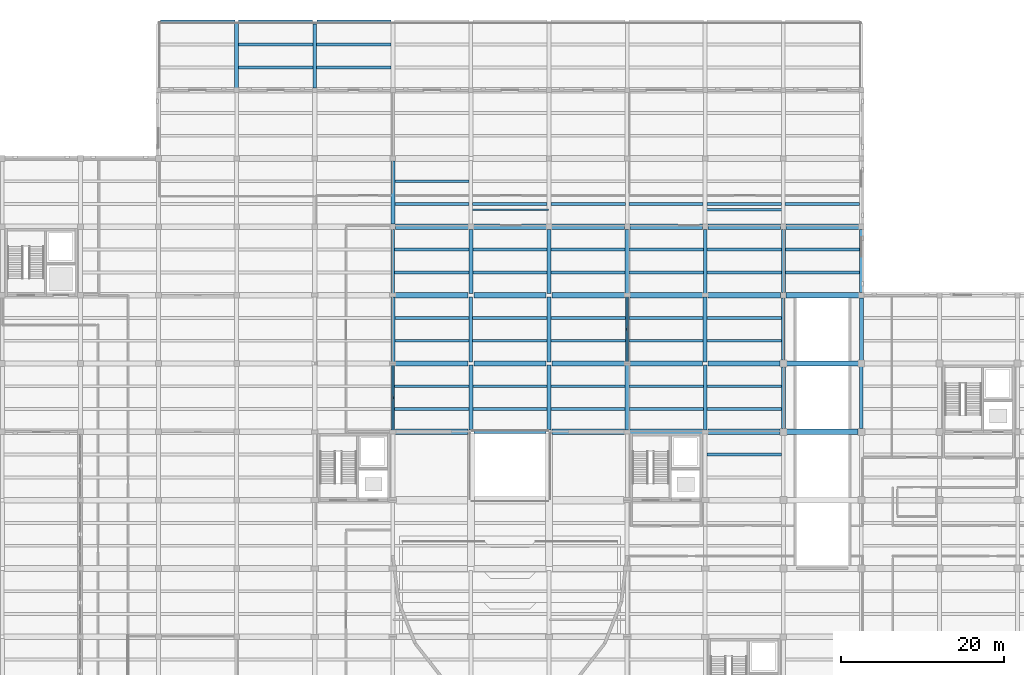
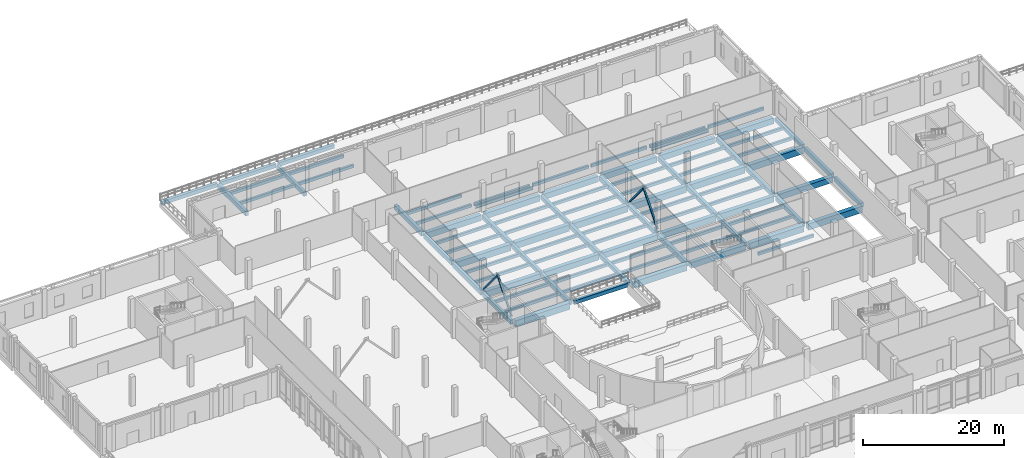
# One storey, part 33 of 71: 97 beams, 4 members.
"""IFC4 building model written with IfcOpenShell, lengths in metres."""

from ifc_helpers import new_model, si_unit, direction, frame, origin, origin_2d, place, context, subcontext, project, spatial, rectangle, hollow_rectangle, i_section, extrude, material, material_profile, profile_set, type_object, element, save


model = new_model("IFC4")

# Units and contexts
model_context = context("Model", 3, precision=1e-05, world=origin(), true_north=direction((0.0, 1.0)))
body_context = subcontext(model_context, "Body", "Model", "MODEL_VIEW")
ifc_project = project(units=[si_unit("LENGTHUNIT", "METRE"), si_unit("AREAUNIT", "SQUARE_METRE"), si_unit("VOLUMEUNIT", "CUBIC_METRE"), si_unit("PLANEANGLEUNIT", "RADIAN"), si_unit("MASSUNIT", "GRAM", prefix="KILO")], contexts=[model_context])

# Site, building, storey
site_placement = place(None, origin())
site = spatial("IfcSite", under=ifc_project, at=site_placement, CompositionType="ELEMENT")
building_placement = place(site_placement, origin())
building = spatial("IfcBuilding", under=site, at=building_placement, Name="Lornevale Opera House", CompositionType="ELEMENT")
storey_placement = place(building_placement, origin())
storey = spatial("IfcBuildingStorey", under=building, at=storey_placement, Name="L01", CompositionType="ELEMENT", Elevation=0.0)

# Beams
ifc_material_1 = material(Name="Concrete 35 MPa (CSA A23.1 N)", Category="concrete")
ifc_material_profile_1 = material_profile(ifc_material_1, rectangle(XDim=0.449951171875, YDim=0.75, at=origin_2d()), Name="RC450x750")
ifc_profile_set_1 = profile_set([ifc_material_profile_1], Name="Concrete 35 MPa (CSA A23.1 N)")
beam_type_1 = type_object("IfcBeamType", Name="Concrete Floor Beam 450x750", PredefinedType="USERDEFINED", material=ifc_profile_set_1)
beam_1_placement = place(storey_placement, frame((57.60009765625, 109.47509765625, -0.7548828125), z_axis=(0.0, 1.0, 0.0), x_axis=(-1.0, 0.0, 0.0)))
element("IfcBeam", 1, at=beam_1_placement, inside=storey, type_object=beam_type_1, Name="Concrete Floor Beam 450x750 1158", ObjectType="GIRDER", PredefinedType="USERDEFINED", context=body_context, shape_type="SweptSolid", body=[
    extrude(rectangle(XDim=0.449951171875, YDim=0.75, at=origin_2d()), origin(), (0.0, 0.0, 1.0), 7.875),
])
beam_2_placement = place(storey_placement, frame((67.199951171875, 67.39990234375, -0.81494140625), z_axis=(0.0, 1.0, 0.0), x_axis=(-1.0, 0.0, 0.0)))
element("IfcBeam", 2, at=beam_2_placement, inside=storey, type_object=beam_type_1, Name="Concrete Floor Beam 450x750 1167", ObjectType="GIRDER", PredefinedType="USERDEFINED", context=body_context, shape_type="SweptSolid", body=[
    extrude(rectangle(XDim=0.449951171875, YDim=0.75, at=origin_2d()), origin(), (0.0, 0.0, 1.0), 8.0),
])
beam_3_placement = place(storey_placement, frame((67.199951171875, 84.199951171875, -0.81494140625), z_axis=(0.0, 1.0, 0.0), x_axis=(-1.0, 0.0, 0.0)))
element("IfcBeam", 3, at=beam_3_placement, inside=storey, type_object=beam_type_1, Name="Concrete Floor Beam 450x750 1169", ObjectType="GIRDER", PredefinedType="USERDEFINED", context=body_context, shape_type="SweptSolid", body=[
    extrude(rectangle(XDim=0.449951171875, YDim=0.75, at=origin_2d()), origin(), (0.0, 0.0, 1.0), 7.875),
])
for number, where, z_axis, x_axis, name in (
    (4, (76.800048828125, 75.800048828125, -0.81494140625), (0.0, 1.0, 0.0), (-1.0, 0.0, 0.0), "Concrete Floor Beam 450x750 1181"),
    (5, (86.39990234375, 67.39990234375, -0.81494140625), (0.0, 1.0, 0.0), (-1.0, 0.0, 0.0), "Concrete Floor Beam 450x750 1193"),
):
    element("IfcBeam", number, at=place(storey_placement, frame(where, z_axis=z_axis, x_axis=x_axis)), inside=storey, type_object=beam_type_1, Name=name, ObjectType="GIRDER", PredefinedType="USERDEFINED", context=body_context, shape_type="SweptSolid", body=[
        extrude(rectangle(XDim=0.449951171875, YDim=0.75, at=origin_2d()), origin(), (0.0, 0.0, 1.0), 8.0),
    ])
beam_4_placement = place(storey_placement, frame((86.39990234375, 84.199951171875, -0.81494140625), z_axis=(0.0, 1.0, 0.0), x_axis=(-1.0, 0.0, 0.0)))
element("IfcBeam", 6, at=beam_4_placement, inside=storey, type_object=beam_type_1, Name="Concrete Floor Beam 450x750 1195", ObjectType="GIRDER", PredefinedType="USERDEFINED", context=body_context, shape_type="SweptSolid", body=[
    extrude(rectangle(XDim=0.449951171875, YDim=0.75, at=origin_2d()), origin(), (0.0, 0.0, 1.0), 7.875),
])
for number, where, z_axis, x_axis, name in (
    (7, (96.0, 75.800048828125, -0.81494140625), (0.0, 1.0, 0.0), (-1.0, 0.0, 0.0), "Concrete Floor Beam 450x750 1208"),
    (8, (105.60009765625, 67.39990234375, -0.81494140625), (0.0, 1.0, 0.0), (-1.0, 0.0, 0.0), "Concrete Floor Beam 450x750 1221"),
):
    element("IfcBeam", number, at=place(storey_placement, frame(where, z_axis=z_axis, x_axis=x_axis)), inside=storey, type_object=beam_type_1, Name=name, ObjectType="GIRDER", PredefinedType="USERDEFINED", context=body_context, shape_type="SweptSolid", body=[
        extrude(rectangle(XDim=0.449951171875, YDim=0.75, at=origin_2d()), origin(), (0.0, 0.0, 1.0), 8.0),
    ])
beam_5_placement = place(storey_placement, frame((105.60009765625, 84.199951171875, -0.81494140625), z_axis=(0.0, 1.0, 0.0), x_axis=(-1.0, 0.0, 0.0)))
element("IfcBeam", 9, at=beam_5_placement, inside=storey, type_object=beam_type_1, Name="Concrete Floor Beam 450x750 1223", ObjectType="GIRDER", PredefinedType="USERDEFINED", context=body_context, shape_type="SweptSolid", body=[
    extrude(rectangle(XDim=0.449951171875, YDim=0.75, at=origin_2d()), origin(), (0.0, 0.0, 1.0), 7.875),
])
beam_6_placement = place(storey_placement, frame((115.199951171875, 76.0, -0.81494140625), z_axis=(0.0, 1.0, 0.0), x_axis=(-1.0, 0.0, 0.0)))
element("IfcBeam", 10, at=beam_6_placement, inside=storey, type_object=beam_type_1, Name="Concrete Floor Beam 450x750 1236", ObjectType="GIRDER", PredefinedType="USERDEFINED", context=body_context, shape_type="SweptSolid", body=[
    extrude(rectangle(XDim=0.449951171875, YDim=0.75, at=origin_2d()), origin(), (0.0, 0.0, 1.0), 7.675048828125),
])
beam_7_placement = place(storey_placement, frame((124.800048828125, 67.60009765625, -0.81494140625), z_axis=(0.0, 1.0, 0.0), x_axis=(-1.0, 0.0, 0.0)))
element("IfcBeam", 11, at=beam_7_placement, inside=storey, type_object=beam_type_1, Name="Concrete Floor Beam 450x750 1249", ObjectType="GIRDER", PredefinedType="USERDEFINED", context=body_context, shape_type="SweptSolid", body=[
    extrude(rectangle(XDim=0.449951171875, YDim=0.75, at=origin_2d()), origin(), (0.0, 0.0, 1.0), 7.625),
])
ifc_material_profile_2 = material_profile(ifc_material_1, rectangle(XDim=0.5, YDim=0.800048828125, at=origin_2d()), Name="RC500x800")
ifc_profile_set_2 = profile_set([ifc_material_profile_2], Name="Concrete 35 MPa (CSA A23.1 N)")
beam_type_2 = type_object("IfcBeamType", Name="Concrete Floor Beam 500x800", PredefinedType="USERDEFINED", material=ifc_profile_set_2)
beam_8_placement = place(storey_placement, frame((48.0, 109.47509765625, -0.780029296875), z_axis=(0.0, 1.0, 0.0), x_axis=(-1.0, 0.0, 0.0)))
element("IfcBeam", 12, at=beam_8_placement, inside=storey, type_object=beam_type_2, Name="Concrete Floor Beam 500x800 1144", ObjectType="GIRDER", PredefinedType="USERDEFINED", context=body_context, shape_type="SweptSolid", body=[
    extrude(rectangle(XDim=0.5, YDim=0.800048828125, at=origin_2d()), origin(), (0.0, 0.0, 1.0), 7.89990234375),
])
beam_9_placement = place(storey_placement, frame((67.199951171875, 75.800048828125, -0.840087890625), z_axis=(0.0, 1.0, 0.0), x_axis=(-1.0, 0.0, 0.0)))
element("IfcBeam", 13, at=beam_9_placement, inside=storey, type_object=beam_type_2, Name="Concrete Floor Beam 500x800 1168", ObjectType="GIRDER", PredefinedType="USERDEFINED", context=body_context, shape_type="SweptSolid", body=[
    extrude(rectangle(XDim=0.5, YDim=0.800048828125, at=origin_2d()), origin(), (0.0, 0.0, 1.0), 8.0),
])
beam_10_placement = place(storey_placement, frame((67.199951171875, 92.72509765625, -0.840087890625), z_axis=(0.0, 1.0, 0.0), x_axis=(-1.0, 0.0, 0.0)))
element("IfcBeam", 14, at=beam_10_placement, inside=storey, type_object=beam_type_2, Name="Concrete Floor Beam 500x800 1170", ObjectType="GIRDER", PredefinedType="USERDEFINED", context=body_context, shape_type="SweptSolid", body=[
    extrude(rectangle(XDim=0.5, YDim=0.800048828125, at=origin_2d()), origin(), (0.0, 0.0, 1.0), 7.77490234375),
])
beam_11_placement = place(storey_placement, frame((76.800048828125, 67.39990234375, -0.840087890625), z_axis=(0.0, 1.0, 0.0), x_axis=(-1.0, 0.0, 0.0)))
element("IfcBeam", 15, at=beam_11_placement, inside=storey, type_object=beam_type_2, Name="Concrete Floor Beam 500x800 1180", ObjectType="GIRDER", PredefinedType="USERDEFINED", context=body_context, shape_type="SweptSolid", body=[
    extrude(rectangle(XDim=0.5, YDim=0.800048828125, at=origin_2d()), origin(), (0.0, 0.0, 1.0), 8.0),
])
beam_12_placement = place(storey_placement, frame((76.800048828125, 84.199951171875, -0.840087890625), z_axis=(0.0, 1.0, 0.0), x_axis=(-1.0, 0.0, 0.0)))
element("IfcBeam", 16, at=beam_12_placement, inside=storey, type_object=beam_type_2, Name="Concrete Floor Beam 500x800 1182", ObjectType="GIRDER", PredefinedType="USERDEFINED", context=body_context, shape_type="SweptSolid", body=[
    extrude(rectangle(XDim=0.5, YDim=0.800048828125, at=origin_2d()), origin(), (0.0, 0.0, 1.0), 7.875),
])
for number, where, z_axis, x_axis, name in (
    (17, (86.39990234375, 75.800048828125, -0.840087890625), (0.0, 1.0, 0.0), (-1.0, 0.0, 0.0), "Concrete Floor Beam 500x800 1194"),
    (18, (96.0, 67.39990234375, -0.840087890625), (0.0, 1.0, 0.0), (-1.0, 0.0, 0.0), "Concrete Floor Beam 500x800 1207"),
):
    element("IfcBeam", number, at=place(storey_placement, frame(where, z_axis=z_axis, x_axis=x_axis)), inside=storey, type_object=beam_type_2, Name=name, ObjectType="GIRDER", PredefinedType="USERDEFINED", context=body_context, shape_type="SweptSolid", body=[
        extrude(rectangle(XDim=0.5, YDim=0.800048828125, at=origin_2d()), origin(), (0.0, 0.0, 1.0), 8.0),
    ])
beam_13_placement = place(storey_placement, frame((96.0, 84.199951171875, -0.840087890625), z_axis=(0.0, 1.0, 0.0), x_axis=(-1.0, 0.0, 0.0)))
element("IfcBeam", 19, at=beam_13_placement, inside=storey, type_object=beam_type_2, Name="Concrete Floor Beam 500x800 1209", ObjectType="GIRDER", PredefinedType="USERDEFINED", context=body_context, shape_type="SweptSolid", body=[
    extrude(rectangle(XDim=0.5, YDim=0.800048828125, at=origin_2d()), origin(), (0.0, 0.0, 1.0), 7.875),
])
beam_14_placement = place(storey_placement, frame((105.60009765625, 75.800048828125, -0.840087890625), z_axis=(0.0, 1.0, 0.0), x_axis=(-1.0, 0.0, 0.0)))
element("IfcBeam", 20, at=beam_14_placement, inside=storey, type_object=beam_type_2, Name="Concrete Floor Beam 500x800 1222", ObjectType="GIRDER", PredefinedType="USERDEFINED", context=body_context, shape_type="SweptSolid", body=[
    extrude(rectangle(XDim=0.5, YDim=0.800048828125, at=origin_2d()), origin(), (0.0, 0.0, 1.0), 8.0),
])
beam_15_placement = place(storey_placement, frame((115.199951171875, 67.60009765625, -0.840087890625), z_axis=(0.0, 1.0, 0.0), x_axis=(-1.0, 0.0, 0.0)))
element("IfcBeam", 21, at=beam_15_placement, inside=storey, type_object=beam_type_2, Name="Concrete Floor Beam 500x800 1235", ObjectType="GIRDER", PredefinedType="USERDEFINED", context=body_context, shape_type="SweptSolid", body=[
    extrude(rectangle(XDim=0.5, YDim=0.800048828125, at=origin_2d()), origin(), (0.0, 0.0, 1.0), 7.599853515625),
])
beam_16_placement = place(storey_placement, frame((115.199951171875, 84.324951171875, -0.840087890625), z_axis=(0.0, 1.0, 0.0), x_axis=(-1.0, 0.0, 0.0)))
element("IfcBeam", 22, at=beam_16_placement, inside=storey, type_object=beam_type_2, Name="Concrete Floor Beam 500x800 1237", ObjectType="GIRDER", PredefinedType="USERDEFINED", context=body_context, shape_type="SweptSolid", body=[
    extrude(rectangle(XDim=0.5, YDim=0.800048828125, at=origin_2d()), origin(), (0.0, 0.0, 1.0), 7.75),
])
beam_17_placement = place(storey_placement, frame((124.800048828125, 75.97509765625, -0.840087890625), z_axis=(0.0, 1.0, 0.0), x_axis=(-1.0, 0.0, 0.0)))
element("IfcBeam", 23, at=beam_17_placement, inside=storey, type_object=beam_type_2, Name="Concrete Floor Beam 500x800 1250", ObjectType="GIRDER", PredefinedType="USERDEFINED", context=body_context, shape_type="SweptSolid", body=[
    extrude(rectangle(XDim=0.5, YDim=0.800048828125, at=origin_2d()), origin(), (0.0, 0.0, 1.0), 7.699951171875),
])
ifc_material_2 = material(Name="Concrete 40 MPa (CSA A23.1 C-1)", Category="concrete")
ifc_material_profile_3 = material_profile(ifc_material_2, rectangle(XDim=0.64990234375, YDim=1.0, at=origin_2d()), Name="RC650x1000")
ifc_profile_set_3 = profile_set([ifc_material_profile_3], Name="Concrete 40 MPa (CSA A23.1 C-1)")
beam_type_3 = type_object("IfcBeamType", Name="Concrete Primary Girder 650x1000", PredefinedType="USERDEFINED", material=ifc_profile_set_3)
for number, where, z_axis, x_axis, name in (
    (24, (96.35009765625, 67.199951171875, -0.93994140625), (1.0, 0.0, 0.0), (0.0, 1.0, 0.0), "Concrete Primary Girder 650x1000 0984"),
    (25, (67.550048828125, 75.60009765625, -0.93994140625), (1.0, 0.0, 0.0), (0.0, 1.0, 0.0), "Concrete Primary Girder 650x1000 0998"),
):
    element("IfcBeam", number, at=place(storey_placement, frame(where, z_axis=z_axis, x_axis=x_axis)), inside=storey, type_object=beam_type_3, Name=name, ObjectType="GIRDER", PredefinedType="USERDEFINED", context=body_context, shape_type="SweptSolid", body=[
        extrude(rectangle(XDim=0.64990234375, YDim=1.0, at=origin_2d()), origin(), (0.0, 0.0, 1.0), 8.89990234375),
    ])
beam_18_placement = place(storey_placement, frame((77.14990234375, 75.60009765625, -0.93994140625), z_axis=(1.0, 0.0, 0.0), x_axis=(0.0, 1.0, 0.0)))
element("IfcBeam", 26, at=beam_18_placement, inside=storey, type_object=beam_type_3, Name="Concrete Primary Girder 650x1000 0999", ObjectType="GIRDER", PredefinedType="USERDEFINED", context=body_context, shape_type="SweptSolid", body=[
    extrude(rectangle(XDim=0.64990234375, YDim=1.0, at=origin_2d()), origin(), (0.0, 0.0, 1.0), 8.900146484375),
])
for number, where, z_axis, x_axis, name in (
    (27, (86.75, 75.60009765625, -0.93994140625), (1.0, 0.0, 0.0), (0.0, 1.0, 0.0), "Concrete Primary Girder 650x1000 1000"),
    (28, (96.35009765625, 75.60009765625, -0.93994140625), (1.0, 0.0, 0.0), (0.0, 1.0, 0.0), "Concrete Primary Girder 650x1000 1001"),
):
    element("IfcBeam", number, at=place(storey_placement, frame(where, z_axis=z_axis, x_axis=x_axis)), inside=storey, type_object=beam_type_3, Name=name, ObjectType="GIRDER", PredefinedType="USERDEFINED", context=body_context, shape_type="SweptSolid", body=[
        extrude(rectangle(XDim=0.64990234375, YDim=1.0, at=origin_2d()), origin(), (0.0, 0.0, 1.0), 8.89990234375),
    ])
beam_19_placement = place(storey_placement, frame((105.949951171875, 75.60009765625, -0.93994140625), z_axis=(1.0, 0.0, 0.0), x_axis=(0.0, 1.0, 0.0)))
element("IfcBeam", 29, at=beam_19_placement, inside=storey, type_object=beam_type_3, Name="Concrete Primary Girder 650x1000 1002", ObjectType="GIRDER", PredefinedType="USERDEFINED", context=body_context, shape_type="SweptSolid", body=[
    extrude(rectangle(XDim=0.64990234375, YDim=1.0, at=origin_2d()), origin(), (0.0, 0.0, 1.0), 8.85009765625),
])
beam_20_placement = place(storey_placement, frame((115.60009765625, 75.60009765625, -0.93994140625), z_axis=(1.0, 0.0, 0.0), x_axis=(0.0, 1.0, 0.0)))
element("IfcBeam", 30, at=beam_20_placement, inside=storey, type_object=beam_type_3, Name="Concrete Primary Girder 650x1000 1003", ObjectType="GIRDER", PredefinedType="USERDEFINED", context=body_context, shape_type="SweptSolid", body=[
    extrude(rectangle(XDim=0.64990234375, YDim=1.0, at=origin_2d()), origin(), (0.0, 0.0, 1.0), 8.824951171875),
])
beam_21_placement = place(storey_placement, frame((67.52490234375, 92.39990234375, -0.93994140625), z_axis=(1.0, 0.0, 0.0), x_axis=(0.0, 1.0, 0.0)))
element("IfcBeam", 31, at=beam_21_placement, inside=storey, type_object=beam_type_3, Name="Concrete Primary Girder 650x1000 1032", ObjectType="GIRDER", PredefinedType="USERDEFINED", context=body_context, shape_type="SweptSolid", body=[
    extrude(rectangle(XDim=0.64990234375, YDim=1.0, at=origin_2d()), origin(), (0.0, 0.0, 1.0), 8.9501953125),
])
for number, where, z_axis, x_axis, name in (
    (32, (77.125, 92.39990234375, -0.93994140625), (1.0, 0.0, 0.0), (0.0, 1.0, 0.0), "Concrete Primary Girder 650x1000 1033"),
    (33, (86.72509765625, 92.39990234375, -0.93994140625), (1.0, 0.0, 0.0), (0.0, 1.0, 0.0), "Concrete Primary Girder 650x1000 1034"),
    (34, (96.324951171875, 92.39990234375, -0.93994140625), (1.0, 0.0, 0.0), (0.0, 1.0, 0.0), "Concrete Primary Girder 650x1000 1035"),
    (35, (105.925048828125, 92.39990234375, -0.93994140625), (1.0, 0.0, 0.0), (0.0, 1.0, 0.0), "Concrete Primary Girder 650x1000 1036"),
):
    element("IfcBeam", number, at=place(storey_placement, frame(where, z_axis=z_axis, x_axis=x_axis)), inside=storey, type_object=beam_type_3, Name=name, ObjectType="GIRDER", PredefinedType="USERDEFINED", context=body_context, shape_type="SweptSolid", body=[
        extrude(rectangle(XDim=0.64990234375, YDim=1.0, at=origin_2d()), origin(), (0.0, 0.0, 1.0), 8.949951171875),
    ])
beam_22_placement = place(storey_placement, frame((115.52490234375, 92.39990234375, -0.93994140625), z_axis=(1.0, 0.0, 0.0), x_axis=(0.0, 1.0, 0.0)))
element("IfcBeam", 36, at=beam_22_placement, inside=storey, type_object=beam_type_3, Name="Concrete Primary Girder 650x1000 1037", ObjectType="GIRDER", PredefinedType="USERDEFINED", context=body_context, shape_type="SweptSolid", body=[
    extrude(rectangle(XDim=0.64990234375, YDim=1.0, at=origin_2d()), origin(), (0.0, 0.0, 1.0), 8.9501953125),
])
ifc_material_profile_4 = material_profile(ifc_material_2, rectangle(XDim=0.699951171875, YDim=1.10009765625, at=origin_2d()), Name="RC700x1100")
ifc_profile_set_4 = profile_set([ifc_material_profile_4], Name="Concrete 40 MPa (CSA A23.1 C-1)")
beam_type_4 = type_object("IfcBeamType", Name="Concrete Primary Girder 700x1100", PredefinedType="USERDEFINED", material=ifc_profile_set_4)
for number, where, z_axis, x_axis, name in (
    (37, (67.550048828125, 67.199951171875, -0.989990234375), (1.0, 0.0, 0.0), (0.0, 1.0, 0.0), "Concrete Primary Girder 700x1100 0981"),
    (38, (86.75, 67.199951171875, -0.989990234375), (1.0, 0.0, 0.0), (0.0, 1.0, 0.0), "Concrete Primary Girder 700x1100 0983"),
):
    element("IfcBeam", number, at=place(storey_placement, frame(where, z_axis=z_axis, x_axis=x_axis)), inside=storey, type_object=beam_type_4, Name=name, ObjectType="GIRDER", PredefinedType="USERDEFINED", context=body_context, shape_type="SweptSolid", body=[
        extrude(rectangle(XDim=0.699951171875, YDim=1.10009765625, at=origin_2d()), origin(), (0.0, 0.0, 1.0), 8.89990234375),
    ])
beam_23_placement = place(storey_placement, frame((105.949951171875, 67.199951171875, -0.989990234375), z_axis=(1.0, 0.0, 0.0), x_axis=(0.0, 1.0, 0.0)))
element("IfcBeam", 39, at=beam_23_placement, inside=storey, type_object=beam_type_4, Name="Concrete Primary Girder 700x1100 0985", ObjectType="GIRDER", PredefinedType="USERDEFINED", context=body_context, shape_type="SweptSolid", body=[
    extrude(rectangle(XDim=0.699951171875, YDim=1.10009765625, at=origin_2d()), origin(), (0.0, 0.0, 1.0), 8.85009765625),
])
beam_24_placement = place(storey_placement, frame((115.60009765625, 67.199951171875, -0.989990234375), z_axis=(1.0, 0.0, 0.0), x_axis=(0.0, 1.0, 0.0)))
element("IfcBeam", 40, at=beam_24_placement, inside=storey, type_object=beam_type_4, Name="Concrete Primary Girder 700x1100 0986", ObjectType="GIRDER", PredefinedType="USERDEFINED", context=body_context, shape_type="SweptSolid", body=[
    extrude(rectangle(XDim=0.699951171875, YDim=1.10009765625, at=origin_2d()), origin(), (0.0, 0.0, 1.0), 8.7998046875),
])
beam_25_placement = place(storey_placement, frame((67.550048828125, 84.0, -0.989990234375), z_axis=(1.0, 0.0, 0.0), x_axis=(0.0, 1.0, 0.0)))
element("IfcBeam", 41, at=beam_25_placement, inside=storey, type_object=beam_type_4, Name="Concrete Primary Girder 700x1100 1015", ObjectType="GIRDER", PredefinedType="USERDEFINED", context=body_context, shape_type="SweptSolid", body=[
    extrude(rectangle(XDim=0.699951171875, YDim=1.10009765625, at=origin_2d()), origin(), (0.0, 0.0, 1.0), 8.89990234375),
])
beam_26_placement = place(storey_placement, frame((77.14990234375, 84.0, -0.989990234375), z_axis=(1.0, 0.0, 0.0), x_axis=(0.0, 1.0, 0.0)))
element("IfcBeam", 42, at=beam_26_placement, inside=storey, type_object=beam_type_4, Name="Concrete Primary Girder 700x1100 1016", ObjectType="GIRDER", PredefinedType="USERDEFINED", context=body_context, shape_type="SweptSolid", body=[
    extrude(rectangle(XDim=0.699951171875, YDim=1.10009765625, at=origin_2d()), origin(), (0.0, 0.0, 1.0), 8.900146484375),
])
for number, where, z_axis, x_axis, name in (
    (43, (86.75, 84.0, -0.989990234375), (1.0, 0.0, 0.0), (0.0, 1.0, 0.0), "Concrete Primary Girder 700x1100 1017"),
    (44, (96.35009765625, 84.0, -0.989990234375), (1.0, 0.0, 0.0), (0.0, 1.0, 0.0), "Concrete Primary Girder 700x1100 1018"),
):
    element("IfcBeam", number, at=place(storey_placement, frame(where, z_axis=z_axis, x_axis=x_axis)), inside=storey, type_object=beam_type_4, Name=name, ObjectType="GIRDER", PredefinedType="USERDEFINED", context=body_context, shape_type="SweptSolid", body=[
        extrude(rectangle(XDim=0.699951171875, YDim=1.10009765625, at=origin_2d()), origin(), (0.0, 0.0, 1.0), 8.89990234375),
    ])
beam_27_placement = place(storey_placement, frame((105.949951171875, 84.0, -0.989990234375), z_axis=(1.0, 0.0, 0.0), x_axis=(0.0, 1.0, 0.0)))
element("IfcBeam", 45, at=beam_27_placement, inside=storey, type_object=beam_type_4, Name="Concrete Primary Girder 700x1100 1019", ObjectType="GIRDER", PredefinedType="USERDEFINED", context=body_context, shape_type="SweptSolid", body=[
    extrude(rectangle(XDim=0.699951171875, YDim=1.10009765625, at=origin_2d()), origin(), (0.0, 0.0, 1.0), 8.925048828125),
])
beam_28_placement = place(storey_placement, frame((115.52490234375, 84.0, -0.989990234375), z_axis=(1.0, 0.0, 0.0), x_axis=(0.0, 1.0, 0.0)))
element("IfcBeam", 46, at=beam_28_placement, inside=storey, type_object=beam_type_4, Name="Concrete Primary Girder 700x1100 1020", ObjectType="GIRDER", PredefinedType="USERDEFINED", context=body_context, shape_type="SweptSolid", body=[
    extrude(rectangle(XDim=0.699951171875, YDim=1.10009765625, at=origin_2d()), origin(), (0.0, 0.0, 1.0), 8.9501953125),
])
ifc_material_profile_5 = material_profile(ifc_material_1, rectangle(XDim=0.35009765625, YDim=0.5, at=origin_2d()), Name="RC350x500")
ifc_profile_set_5 = profile_set([ifc_material_profile_5], Name="Concrete 35 MPa (CSA A23.1 N)")
beam_type_5 = type_object("IfcBeamType", Name="Concrete Secondary Rib 350x500", PredefinedType="JOIST", material=ifc_profile_set_5)
for number, where, z_axis, x_axis, name in (
    (47, (48.25, 112.0, -0.6298828125), (1.0, 0.0, 0.0), (0.0, 1.0, 0.0), "Concrete Secondary Rib 350x500 1435"),
    (48, (48.25, 114.800048828125, -0.6298828125), (1.0, 0.0, 0.0), (0.0, 1.0, 0.0), "Concrete Secondary Rib 350x500 1436"),
    (49, (57.824951171875, 112.0, -0.6298828125), (1.0, 0.0, 0.0), (0.0, 1.0, 0.0), "Concrete Secondary Rib 350x500 1459"),
    (50, (57.824951171875, 114.800048828125, -0.6298828125), (1.0, 0.0, 0.0), (0.0, 1.0, 0.0), "Concrete Secondary Rib 350x500 1460"),
    (51, (67.425048828125, 70.0, -0.68994140625), (1.0, 0.0, 0.0), (0.0, 1.0, 0.0), "Concrete Secondary Rib 350x500 1475"),
    (52, (67.425048828125, 72.800048828125, -0.68994140625), (1.0, 0.0, 0.0), (0.0, 1.0, 0.0), "Concrete Secondary Rib 350x500 1476"),
    (53, (67.449951171875, 78.39990234375, -0.68994140625), (1.0, 0.0, 0.0), (0.0, 1.0, 0.0), "Concrete Secondary Rib 350x500 1477"),
    (54, (67.449951171875, 81.199951171875, -0.68994140625), (1.0, 0.0, 0.0), (0.0, 1.0, 0.0), "Concrete Secondary Rib 350x500 1478"),
    (55, (67.425048828125, 86.800048828125, -0.68994140625), (1.0, 0.0, 0.0), (0.0, 1.0, 0.0), "Concrete Secondary Rib 350x500 1479"),
    (56, (67.425048828125, 89.60009765625, -0.68994140625), (1.0, 0.0, 0.0), (0.0, 1.0, 0.0), "Concrete Secondary Rib 350x500 1480"),
    (57, (67.449951171875, 95.199951171875, -0.68994140625), (1.0, 0.0, 0.0), (0.0, 1.0, 0.0), "Concrete Secondary Rib 350x500 1481"),
    (58, (67.449951171875, 98.0, -0.68994140625), (1.0, 0.0, 0.0), (0.0, 1.0, 0.0), "Concrete Secondary Rib 350x500 1482"),
    (59, (77.050048828125, 70.0, -0.68994140625), (1.0, 0.0, 0.0), (0.0, 1.0, 0.0), "Concrete Secondary Rib 350x500 1501"),
    (60, (77.050048828125, 72.800048828125, -0.68994140625), (1.0, 0.0, 0.0), (0.0, 1.0, 0.0), "Concrete Secondary Rib 350x500 1502"),
    (61, (77.02490234375, 78.39990234375, -0.68994140625), (1.0, 0.0, 0.0), (0.0, 1.0, 0.0), "Concrete Secondary Rib 350x500 1503"),
    (62, (77.02490234375, 81.199951171875, -0.68994140625), (1.0, 0.0, 0.0), (0.0, 1.0, 0.0), "Concrete Secondary Rib 350x500 1504"),
    (63, (77.050048828125, 86.800048828125, -0.68994140625), (1.0, 0.0, 0.0), (0.0, 1.0, 0.0), "Concrete Secondary Rib 350x500 1505"),
    (64, (77.050048828125, 89.60009765625, -0.68994140625), (1.0, 0.0, 0.0), (0.0, 1.0, 0.0), "Concrete Secondary Rib 350x500 1506"),
    (65, (77.02490234375, 95.199951171875, -0.68994140625), (1.0, 0.0, 0.0), (0.0, 1.0, 0.0), "Concrete Secondary Rib 350x500 1507"),
    (66, (86.625, 70.0, -0.68994140625), (1.0, 0.0, 0.0), (0.0, 1.0, 0.0), "Concrete Secondary Rib 350x500 1527"),
    (67, (86.625, 72.800048828125, -0.68994140625), (1.0, 0.0, 0.0), (0.0, 1.0, 0.0), "Concrete Secondary Rib 350x500 1528"),
    (68, (86.64990234375, 78.39990234375, -0.68994140625), (1.0, 0.0, 0.0), (0.0, 1.0, 0.0), "Concrete Secondary Rib 350x500 1529"),
    (69, (86.64990234375, 81.199951171875, -0.68994140625), (1.0, 0.0, 0.0), (0.0, 1.0, 0.0), "Concrete Secondary Rib 350x500 1530"),
    (70, (86.625, 86.800048828125, -0.68994140625), (1.0, 0.0, 0.0), (0.0, 1.0, 0.0), "Concrete Secondary Rib 350x500 1531"),
    (71, (86.625, 89.60009765625, -0.68994140625), (1.0, 0.0, 0.0), (0.0, 1.0, 0.0), "Concrete Secondary Rib 350x500 1532"),
    (72, (86.64990234375, 95.199951171875, -0.68994140625), (1.0, 0.0, 0.0), (0.0, 1.0, 0.0), "Concrete Secondary Rib 350x500 1533"),
    (73, (96.25, 70.0, -0.68994140625), (1.0, 0.0, 0.0), (0.0, 1.0, 0.0), "Concrete Secondary Rib 350x500 1553"),
    (74, (96.25, 72.800048828125, -0.68994140625), (1.0, 0.0, 0.0), (0.0, 1.0, 0.0), "Concrete Secondary Rib 350x500 1554"),
    (75, (96.22509765625, 78.39990234375, -0.68994140625), (1.0, 0.0, 0.0), (0.0, 1.0, 0.0), "Concrete Secondary Rib 350x500 1555"),
    (76, (96.22509765625, 81.199951171875, -0.68994140625), (1.0, 0.0, 0.0), (0.0, 1.0, 0.0), "Concrete Secondary Rib 350x500 1556"),
    (77, (96.25, 86.800048828125, -0.68994140625), (1.0, 0.0, 0.0), (0.0, 1.0, 0.0), "Concrete Secondary Rib 350x500 1557"),
    (78, (96.25, 89.60009765625, -0.68994140625), (1.0, 0.0, 0.0), (0.0, 1.0, 0.0), "Concrete Secondary Rib 350x500 1558"),
    (79, (96.22509765625, 95.199951171875, -0.68994140625), (1.0, 0.0, 0.0), (0.0, 1.0, 0.0), "Concrete Secondary Rib 350x500 1559"),
    (80, (105.85009765625, 64.39990234375, -0.68994140625), (1.0, 0.0, 0.0), (0.0, 1.0, 0.0), "Concrete Secondary Rib 350x500 1578"),
    (81, (105.824951171875, 70.0, -0.68994140625), (1.0, 0.0, 0.0), (0.0, 1.0, 0.0), "Concrete Secondary Rib 350x500 1579"),
    (82, (105.824951171875, 72.800048828125, -0.68994140625), (1.0, 0.0, 0.0), (0.0, 1.0, 0.0), "Concrete Secondary Rib 350x500 1580"),
    (83, (105.85009765625, 78.39990234375, -0.68994140625), (1.0, 0.0, 0.0), (0.0, 1.0, 0.0), "Concrete Secondary Rib 350x500 1581"),
    (84, (105.85009765625, 81.199951171875, -0.68994140625), (1.0, 0.0, 0.0), (0.0, 1.0, 0.0), "Concrete Secondary Rib 350x500 1582"),
    (85, (105.824951171875, 86.800048828125, -0.68994140625), (1.0, 0.0, 0.0), (0.0, 1.0, 0.0), "Concrete Secondary Rib 350x500 1583"),
    (86, (105.824951171875, 89.60009765625, -0.68994140625), (1.0, 0.0, 0.0), (0.0, 1.0, 0.0), "Concrete Secondary Rib 350x500 1584"),
    (87, (105.85009765625, 95.199951171875, -0.68994140625), (1.0, 0.0, 0.0), (0.0, 1.0, 0.0), "Concrete Secondary Rib 350x500 1585"),
    (88, (115.449951171875, 86.800048828125, -0.68994140625), (1.0, 0.0, 0.0), (0.0, 1.0, 0.0), "Concrete Secondary Rib 350x500 1603"),
    (89, (115.449951171875, 89.60009765625, -0.68994140625), (1.0, 0.0, 0.0), (0.0, 1.0, 0.0), "Concrete Secondary Rib 350x500 1604"),
):
    element("IfcBeam", number, at=place(storey_placement, frame(where, z_axis=z_axis, x_axis=x_axis)), inside=storey, type_object=beam_type_5, Name=name, PredefinedType="JOIST", context=body_context, shape_type="SweptSolid", body=[
        extrude(rectangle(XDim=0.35009765625, YDim=0.5, at=origin_2d()), origin(), (0.0, 0.0, 1.0), 9.125),
    ])
beam_29_placement = place(storey_placement, frame((115.425048828125, 95.199951171875, -0.68994140625), z_axis=(1.0, 0.0, 0.0), x_axis=(0.0, 1.0, 0.0)))
element("IfcBeam", 90, at=beam_29_placement, inside=storey, type_object=beam_type_5, Name="Concrete Secondary Rib 350x500 1605", PredefinedType="JOIST", context=body_context, shape_type="SweptSolid", body=[
    extrude(rectangle(XDim=0.35009765625, YDim=0.5, at=origin_2d()), origin(), (0.0, 0.0, 1.0), 9.14990234375),
])
ifc_material_profile_6 = material_profile(ifc_material_1, rectangle(XDim=0.449951171875, YDim=0.64990234375, at=origin_2d()), Name="RC450x650")
ifc_profile_set_6 = profile_set([ifc_material_profile_6], Name="Concrete 35 MPa (CSA A23.1 N)")
beam_type_6 = type_object("IfcBeamType", Name="Concrete Spandrel Beam 450x650", PredefinedType="SPANDREL", material=ifc_profile_set_6)
beam_30_placement = place(storey_placement, frame((77.14990234375, 67.199951171875, -0.764892578125), z_axis=(1.0, 0.0, 0.0), x_axis=(0.0, 1.0, 0.0)))
element("IfcBeam", 91, at=beam_30_placement, inside=storey, type_object=beam_type_6, Name="Concrete Spandrel Beam 450x650 0982", PredefinedType="SPANDREL", context=body_context, shape_type="SweptSolid", body=[
    extrude(rectangle(XDim=0.449951171875, YDim=0.64990234375, at=origin_2d()), origin(), (0.0, 0.0, 1.0), 8.900146484375),
])
for number, where, z_axis, x_axis, name in (
    (92, (38.64990234375, 117.60009765625, -0.574951171875), (1.0, 0.0, 0.0), (0.0, 1.0, 0.0), "Concrete Spandrel Beam 450x650 1060"),
    (93, (48.22509765625, 117.60009765625, -0.574951171875), (1.0, 0.0, 0.0), (0.0, 1.0, 0.0), "Concrete Spandrel Beam 450x650 1061"),
    (94, (57.85009765625, 117.60009765625, -0.574951171875), (1.0, 0.0, 0.0), (0.0, 1.0, 0.0), "Concrete Spandrel Beam 450x650 1062"),
):
    element("IfcBeam", number, at=place(storey_placement, frame(where, z_axis=z_axis, x_axis=x_axis)), inside=storey, type_object=beam_type_6, Name=name, PredefinedType="SPANDREL", context=body_context, shape_type="SweptSolid", body=[
        extrude(rectangle(XDim=0.449951171875, YDim=0.64990234375, at=origin_2d()), origin(), (0.0, 0.0, 1.0), 9.125),
    ])
beam_31_placement = place(storey_placement, frame((124.800048828125, 84.324951171875, -0.764892578125), z_axis=(0.0, 1.0, 0.0), x_axis=(-1.0, 0.0, 0.0)))
element("IfcBeam", 95, at=beam_31_placement, inside=storey, type_object=beam_type_6, Name="Concrete Spandrel Beam 450x650 1251", PredefinedType="SPANDREL", context=body_context, shape_type="SweptSolid", body=[
    extrude(rectangle(XDim=0.449951171875, YDim=0.64990234375, at=origin_2d()), origin(), (0.0, 0.0, 1.0), 7.75),
])
ifc_material_3 = material(Name="Structural Steel CSA G40.21 Grade 350W (350 MPa)", Category="steel")
ifc_material_profile_7 = material_profile(ifc_material_3, i_section(OverallWidth=0.323974609375, OverallDepth=0.611083984375, WebThickness=0.0126953125, FlangeThickness=0.01904296875, at=origin_2d()), Name="W610x155")
ifc_profile_set_7 = profile_set([ifc_material_profile_7], Name="Structural Steel CSA G40.21 Grade 350W (350 MPa)")
beam_type_7 = type_object("IfcBeamType", Name="Loading Dock Girder W610x155", PredefinedType="USERDEFINED", material=ifc_profile_set_7)
beam_32_placement = place(storey_placement, frame((105.64990234375, 94.5, -0.699951171875), z_axis=(1.0, 0.0, 0.0), x_axis=(0.0, 1.0, 0.0)))
element("IfcBeam", 96, at=beam_32_placement, inside=storey, type_object=beam_type_7, Name="Loading Dock Girder W610x155 3034", ObjectType="GIRDER", PredefinedType="USERDEFINED", context=body_context, shape_type="SweptSolid", body=[
    extrude(i_section(OverallWidth=0.323974609375, OverallDepth=0.611083984375, WebThickness=0.0126953125, FlangeThickness=0.01904296875, at=origin_2d()), origin(), (0.0, 0.0, 1.0), 9.5),
])
ifc_material_profile_8 = material_profile(ifc_material_3, i_section(OverallWidth=0.2109375, OverallDepth=0.5390625, WebThickness=0.01171875, FlangeThickness=0.018798828125, at=origin_2d()), Name="W530x109")
ifc_profile_set_8 = profile_set([ifc_material_profile_8], Name="Structural Steel CSA G40.21 Grade 350W (350 MPa)")
beam_type_8 = type_object("IfcBeamType", Name="Rear Stage Girder W530x109", PredefinedType="USERDEFINED", material=ifc_profile_set_8)
beam_33_placement = place(storey_placement, frame((76.85009765625, 94.5, -0.659912109375), z_axis=(1.0, 0.0, 0.0), x_axis=(0.0, 1.0, 0.0)))
element("IfcBeam", 97, at=beam_33_placement, inside=storey, type_object=beam_type_8, Name="Rear Stage Girder W530x109 3033", ObjectType="GIRDER", PredefinedType="USERDEFINED", context=body_context, shape_type="SweptSolid", body=[
    extrude(i_section(OverallWidth=0.2109375, OverallDepth=0.5390625, WebThickness=0.01171875, FlangeThickness=0.018798828125, at=origin_2d()), origin(), (0.0, 0.0, 1.0), 9.5),
])

# Members
ifc_material_profile_9 = material_profile(ifc_material_3, hollow_rectangle(XDim=0.25390625, YDim=0.25390625, WallThickness=0.0126953125, at=origin_2d()), Name="HSS254x254x13")
ifc_profile_set_9 = profile_set([ifc_material_profile_9], Name="Structural Steel CSA G40.21 Grade 350W (350 MPa)")
member_type = type_object("IfcMemberType", Name="Stagehouse Lateral Brace HSS254x254x13", PredefinedType="BRACE", material=ifc_profile_set_9)
for number, where, z_axis, x_axis, name in (
    (98, (67.199951171875, 67.449951171875, 0.10009765625), (0.0, 0.641778818333, 0.766889788913), (-1.0, 0.0, 0.0), "Stagehouse Lateral Brace HSS254x254x13 0104"),
    (99, (67.199951171875, 75.35009765625, 0.10009765625), (0.0, -0.641802146629, 0.766870265809), (1.0, 0.0, 0.0), "Stagehouse Lateral Brace HSS254x254x13 0105"),
    (100, (96.0, 75.85009765625, 0.10009765625), (0.0, 0.641778818333, 0.766889788913), (-1.0, 0.0, 0.0), "Stagehouse Lateral Brace HSS254x254x13 0116"),
    (101, (96.0, 83.75, 0.10009765625), (0.0, -0.641778818333, 0.766889788913), (1.0, 0.0, 0.0), "Stagehouse Lateral Brace HSS254x254x13 0117"),
):
    element("IfcMember", number, at=place(storey_placement, frame(where, z_axis=z_axis, x_axis=x_axis)), inside=storey, type_object=member_type, Name=name, PredefinedType="BRACE", context=body_context, shape_type="SweptSolid", body=[
        extrude(hollow_rectangle(XDim=0.25390625, YDim=0.25390625, WallThickness=0.0126953125, at=origin_2d()), origin(), (0.0, 0.0, 1.0), 6.15478515625),
    ])

save(model, "model.ifc")
